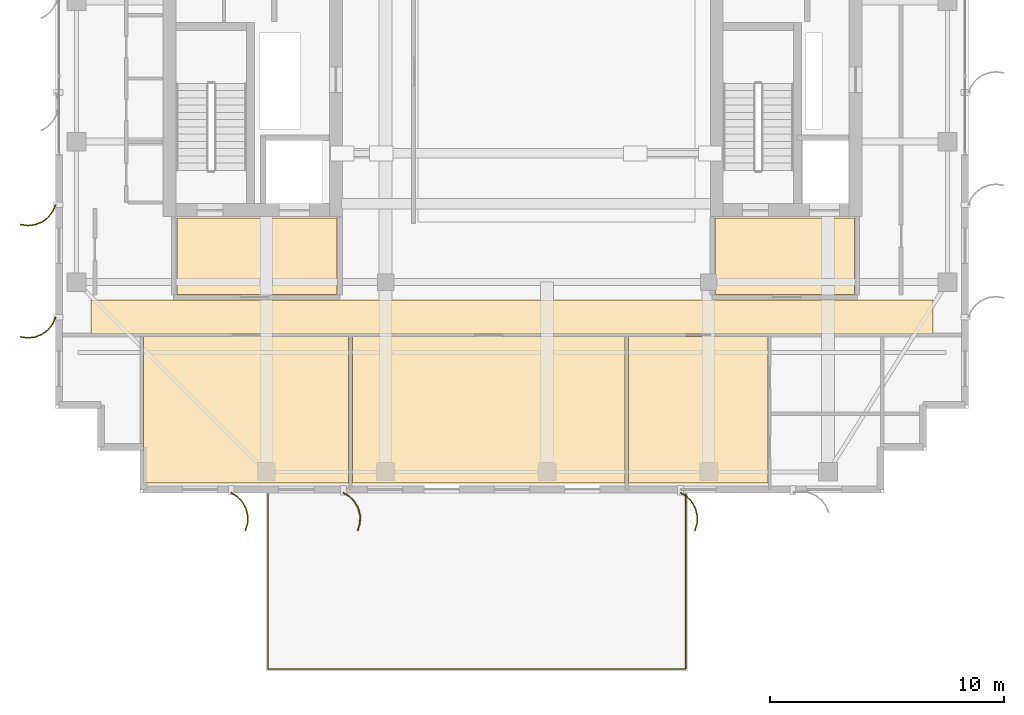
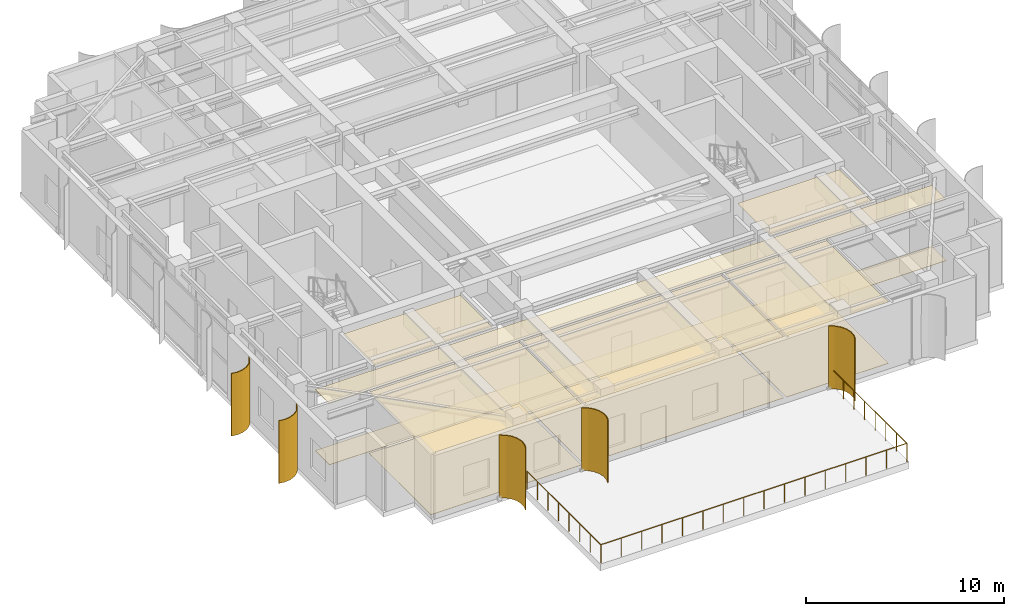
# One storey, part 17 of 19: 10 coverings, 5 shading devices, 1 railing.
"""IFC4 building model written with IfcOpenShell, lengths in metres."""

from ifc_helpers import new_model, si_unit, direction, frame, origin, origin_2d, place, context, subcontext, project, spatial, polyline, circle, outline, extrude, source, transform, mapped, material, layer, layer_set, type_object, element, save


model = new_model("IFC4")

# Units and contexts
model_context = context("Model", 3, precision=1e-05, world=origin(), true_north=direction((0.0, 1.0)))
body_context = subcontext(model_context, "Body", "Model", "MODEL_VIEW")
ifc_project = project(units=[si_unit("LENGTHUNIT", "METRE"), si_unit("AREAUNIT", "SQUARE_METRE"), si_unit("VOLUMEUNIT", "CUBIC_METRE"), si_unit("PLANEANGLEUNIT", "RADIAN"), si_unit("MASSUNIT", "GRAM", prefix="KILO")], contexts=[model_context])

# Site, building, storey
site_placement = place(None, origin())
site = spatial("IfcSite", under=ifc_project, at=site_placement, CompositionType="ELEMENT")
building_placement = place(site_placement, origin())
building = spatial("IfcBuilding", under=site, at=building_placement, Name="Khoralis Quay Care Tower", CompositionType="ELEMENT")
storey_placement = place(building_placement, frame((0.0, 0.0, 285.300048828125)))
storey = spatial("IfcBuildingStorey", under=building, at=storey_placement, Name="L75", CompositionType="ELEMENT", Elevation=285.300048828125)

# Coverings
ifc_material_1 = material(Name="Mineral-fibre acoustic ceiling tile")
ifc_layer_1 = layer(ifc_material_1, 0.01806640625)
ifc_layer_set_1 = layer_set([ifc_layer_1], Name="Mineral-fibre acoustic ceiling tile")
covering_type_1 = type_object("IfcCoveringType", Name="COV-CEIL-AC18", PredefinedType="CEILING", material=ifc_layer_set_1)
covering_1_placement = place(storey_placement, frame((0.0, 0.0, 3.77197265625)))
element("IfcCovering", 1, at=covering_1_placement, inside=storey, type_object=covering_type_1, Name="Suspended Acoustic Ceiling SP-L75-FFLOB-W", PredefinedType="CEILING", context=body_context, shape_type="SweptSolid", body=[
    extrude(outline(polyline([(8.179931640625, 11.47998046875), (15.02001953125, 11.47998046875), (15.02001953125, 14.75), (8.179931640625, 14.75), (8.179931640625, 11.47998046875)])), origin(), (0.0, 0.0, 1.0), 0.01806640625),
])
covering_2_placement = place(storey_placement, frame((0.0, 0.0, 3.77197265625)))
element("IfcCovering", 2, at=covering_2_placement, inside=storey, type_object=covering_type_1, Name="Suspended Acoustic Ceiling SP-L75-FFLOB-E", PredefinedType="CEILING", context=body_context, shape_type="SweptSolid", body=[
    extrude(outline(polyline([(31.179931640625, 11.47998046875), (37.1201171875, 11.47998046875), (37.1201171875, 14.75), (31.179931640625, 14.75), (31.179931640625, 11.47998046875)])), origin(), (0.0, 0.0, 1.0), 0.01806640625),
])
covering_3_placement = place(storey_placement, frame((0.0, 0.0, 3.77197265625)))
element("IfcCovering", 3, at=covering_3_placement, inside=storey, type_object=covering_type_1, Name="Suspended Acoustic Ceiling SP-L75-CORR-MAIN", PredefinedType="CEILING", context=body_context, shape_type="SweptSolid", body=[
    extrude(outline(polyline([(4.52001953125, 9.7900390625), (40.47998046875, 9.7900390625), (40.47998046875, 11.239990234375), (4.52001953125, 11.239990234375), (4.52001953125, 9.7900390625)])), origin(), (0.0, 0.0, 1.0), 0.01806640625),
])
covering_4_placement = place(storey_placement, frame((0.0, 0.0, 3.77197265625)))
element("IfcCovering", 4, at=covering_4_placement, inside=storey, type_object=covering_type_1, Name="Suspended Acoustic Ceiling SP-L75-SB-COM0", PredefinedType="CEILING", context=body_context, shape_type="SweptSolid", body=[
    extrude(outline(polyline([(6.760009765625, 3.419921875), (15.52001953125, 3.419921875), (15.52001953125, 9.669921875), (6.760009765625, 9.669921875), (6.760009765625, 3.419921875)])), origin(), (0.0, 0.0, 1.0), 0.01806640625),
])
covering_5_placement = place(storey_placement, frame((0.0, 0.0, 3.77197265625)))
element("IfcCovering", 5, at=covering_5_placement, inside=storey, type_object=covering_type_1, Name="Suspended Acoustic Ceiling SP-L75-SB-COM1", PredefinedType="CEILING", context=body_context, shape_type="SweptSolid", body=[
    extrude(outline(polyline([(15.679931640625, 3.419921875), (27.320068359375, 3.419921875), (27.320068359375, 9.669921875), (15.679931640625, 9.669921875), (15.679931640625, 3.419921875)])), origin(), (0.0, 0.0, 1.0), 0.01806640625),
])
covering_6_placement = place(storey_placement, frame((0.0, 0.0, 3.77197265625)))
element("IfcCovering", 6, at=covering_6_placement, inside=storey, type_object=covering_type_1, Name="Suspended Acoustic Ceiling SP-L75-SB-STU2", PredefinedType="CEILING", context=body_context, shape_type="SweptSolid", body=[
    extrude(outline(polyline([(27.47998046875, 3.419921875), (33.43505859375, 3.419921875), (33.43505859375, 9.669921875), (27.47998046875, 9.669921875), (27.47998046875, 3.419921875)])), origin(), (0.0, 0.0, 1.0), 0.01806640625),
])
ifc_material_2 = material(Name="Porcelain and non-slip vinyl flooring")
ifc_layer_2 = layer(ifc_material_2, 0.02001953125)
ifc_layer_set_2 = layer_set([ifc_layer_2], Name="Porcelain and non-slip vinyl flooring")
covering_type_2 = type_object("IfcCoveringType", Name="COV-FLOOR-20", PredefinedType="FLOORING", material=ifc_layer_set_2)
covering_7_placement = place(storey_placement, origin())
element("IfcCovering", 7, at=covering_7_placement, inside=storey, type_object=covering_type_2, Name="Resilient Healthcare Flooring SP-L75-CORR-MAIN", PredefinedType="FLOORING", context=body_context, shape_type="SweptSolid", body=[
    extrude(outline(polyline([(4.52001953125, 9.7900390625), (40.47998046875, 9.7900390625), (40.47998046875, 11.239990234375), (4.52001953125, 11.239990234375), (4.52001953125, 9.7900390625)])), origin(), (0.0, 0.0, 1.0), 0.02001953125),
])
covering_8_placement = place(storey_placement, origin())
element("IfcCovering", 8, at=covering_8_placement, inside=storey, type_object=covering_type_2, Name="Resilient Healthcare Flooring SP-L75-SB-COM0", PredefinedType="FLOORING", context=body_context, shape_type="SweptSolid", body=[
    extrude(outline(polyline([(6.760009765625, 3.419921875), (15.52001953125, 3.419921875), (15.52001953125, 9.669921875), (6.760009765625, 9.669921875), (6.760009765625, 3.419921875)])), origin(), (0.0, 0.0, 1.0), 0.02001953125),
])
covering_9_placement = place(storey_placement, origin())
element("IfcCovering", 9, at=covering_9_placement, inside=storey, type_object=covering_type_2, Name="Resilient Healthcare Flooring SP-L75-SB-COM1", PredefinedType="FLOORING", context=body_context, shape_type="SweptSolid", body=[
    extrude(outline(polyline([(15.679931640625, 3.419921875), (27.320068359375, 3.419921875), (27.320068359375, 9.669921875), (15.679931640625, 9.669921875), (15.679931640625, 3.419921875)])), origin(), (0.0, 0.0, 1.0), 0.02001953125),
])
covering_10_placement = place(storey_placement, origin())
element("IfcCovering", 10, at=covering_10_placement, inside=storey, type_object=covering_type_2, Name="Resilient Healthcare Flooring SP-L75-SB-STU2", PredefinedType="FLOORING", context=body_context, shape_type="SweptSolid", body=[
    extrude(outline(polyline([(27.47998046875, 3.419921875), (33.43505859375, 3.419921875), (33.43505859375, 9.669921875), (27.47998046875, 9.669921875), (27.47998046875, 3.419921875)])), origin(), (0.0, 0.0, 1.0), 0.02001953125),
])

# Railing
ifc_material_3 = material(Name="Pale anodised aluminium", Category="aluminium")
railing_type = type_object("IfcRailingType", Name="RL-BALUST-1150", PredefinedType="BALUSTRADE", material=ifc_material_3)
railing_placement = place(storey_placement, frame((12.080078125, 2.949951171875, 0.0)))
element("IfcRailing", 11, at=railing_placement, inside=storey, type_object=railing_type, Name="L75 Cantilevered Sky Pool Perimeter Balustrade", PredefinedType="BALUSTRADE", context=body_context, shape_type="SweptSolid", body=[
    extrude(circle(Radius=0.02392578125, at=origin_2d()), frame((0.0, 0.0, 1.1259765625), z_axis=(0.0, -1.0, 0.0), x_axis=(1.0, 0.0, 0.0)), (0.0, 0.0, 1.0), 7.469970703125),
    extrude(circle(Radius=0.02392578125, at=origin_2d()), frame((0.0, -7.469970703125, 1.1259765625), z_axis=(1.0, 0.0, 0.0), x_axis=(0.0, 1.0, 0.0)), (0.0, 0.0, 1.0), 17.83984375),
    extrude(circle(Radius=0.02392578125, at=origin_2d()), frame((17.83984375, -7.469970703125, 1.1259765625), z_axis=(0.0, 1.0, 0.0), x_axis=(-1.0, 0.0, 0.0)), (0.0, 0.0, 1.0), 7.469970703125),
    extrude(circle(Radius=0.02099609375, at=origin_2d()), origin(), (0.0, 0.0, 1.0), 1.101806640625),
    extrude(circle(Radius=0.02099609375, at=origin_2d()), frame((0.0, -1.067138671875, 0.0)), (0.0, 0.0, 1.0), 1.101806640625),
    extrude(circle(Radius=0.02099609375, at=origin_2d()), frame((0.0, -2.13427734375, 0.0)), (0.0, 0.0, 1.0), 1.101806640625),
    extrude(circle(Radius=0.02099609375, at=origin_2d()), frame((0.0, -3.201416015625, 0.0)), (0.0, 0.0, 1.0), 1.101806640625),
    extrude(circle(Radius=0.02099609375, at=origin_2d()), frame((0.0, -4.2685546875, 0.0)), (0.0, 0.0, 1.0), 1.101806640625),
    extrude(circle(Radius=0.02099609375, at=origin_2d()), frame((0.0, -5.335693359375, 0.0)), (0.0, 0.0, 1.0), 1.101806640625),
    extrude(circle(Radius=0.02099609375, at=origin_2d()), frame((0.0, -6.40283203125, 0.0)), (0.0, 0.0, 1.0), 1.101806640625),
    extrude(circle(Radius=0.02099609375, at=origin_2d()), frame((0.0, -7.469970703125, 0.0)), (0.0, 0.0, 1.0), 1.101806640625),
    extrude(circle(Radius=0.02099609375, at=origin_2d()), frame((1.189208984375, -7.469970703125, 0.0)), (0.0, 0.0, 1.0), 1.101806640625),
    extrude(circle(Radius=0.02099609375, at=origin_2d()), frame((2.378662109375, -7.469970703125, 0.0)), (0.0, 0.0, 1.0), 1.101806640625),
    extrude(circle(Radius=0.02099609375, at=origin_2d()), frame((3.56787109375, -7.469970703125, 0.0)), (0.0, 0.0, 1.0), 1.101806640625),
    extrude(circle(Radius=0.02099609375, at=origin_2d()), frame((4.75732421875, -7.469970703125, 0.0)), (0.0, 0.0, 1.0), 1.101806640625),
    extrude(circle(Radius=0.02099609375, at=origin_2d()), frame((5.946533203125, -7.469970703125, 0.0)), (0.0, 0.0, 1.0), 1.101806640625),
    extrude(circle(Radius=0.02099609375, at=origin_2d()), frame((7.135986328125, -7.469970703125, 0.0)), (0.0, 0.0, 1.0), 1.101806640625),
    extrude(circle(Radius=0.02099609375, at=origin_2d()), frame((8.3251953125, -7.469970703125, 0.0)), (0.0, 0.0, 1.0), 1.101806640625),
    extrude(circle(Radius=0.02099609375, at=origin_2d()), frame((9.5146484375, -7.469970703125, 0.0)), (0.0, 0.0, 1.0), 1.101806640625),
    extrude(circle(Radius=0.02099609375, at=origin_2d()), frame((10.703857421875, -7.469970703125, 0.0)), (0.0, 0.0, 1.0), 1.101806640625),
    extrude(circle(Radius=0.02099609375, at=origin_2d()), frame((11.893310546875, -7.469970703125, 0.0)), (0.0, 0.0, 1.0), 1.101806640625),
    extrude(circle(Radius=0.02099609375, at=origin_2d()), frame((13.08251953125, -7.469970703125, 0.0)), (0.0, 0.0, 1.0), 1.101806640625),
    extrude(circle(Radius=0.02099609375, at=origin_2d()), frame((14.27197265625, -7.469970703125, 0.0)), (0.0, 0.0, 1.0), 1.101806640625),
    extrude(circle(Radius=0.02099609375, at=origin_2d()), frame((15.461181640625, -7.469970703125, 0.0)), (0.0, 0.0, 1.0), 1.101806640625),
    extrude(circle(Radius=0.02099609375, at=origin_2d()), frame((16.650634765625, -7.469970703125, 0.0)), (0.0, 0.0, 1.0), 1.101806640625),
    extrude(circle(Radius=0.02099609375, at=origin_2d()), frame((17.83984375, -7.469970703125, 0.0)), (0.0, 0.0, 1.0), 1.101806640625),
    extrude(circle(Radius=0.02099609375, at=origin_2d()), frame((17.83984375, -6.40283203125, 0.0)), (0.0, 0.0, 1.0), 1.101806640625),
    extrude(circle(Radius=0.02099609375, at=origin_2d()), frame((17.83984375, -5.335693359375, 0.0)), (0.0, 0.0, 1.0), 1.101806640625),
    extrude(circle(Radius=0.02099609375, at=origin_2d()), frame((17.83984375, -4.2685546875, 0.0)), (0.0, 0.0, 1.0), 1.101806640625),
    extrude(circle(Radius=0.02099609375, at=origin_2d()), frame((17.83984375, -3.201416015625, 0.0)), (0.0, 0.0, 1.0), 1.101806640625),
    extrude(circle(Radius=0.02099609375, at=origin_2d()), frame((17.83984375, -2.13427734375, 0.0)), (0.0, 0.0, 1.0), 1.101806640625),
    extrude(circle(Radius=0.02099609375, at=origin_2d()), frame((17.83984375, -1.067138671875, 0.0)), (0.0, 0.0, 1.0), 1.101806640625),
    extrude(circle(Radius=0.02099609375, at=origin_2d()), frame((17.83984375, 0.0, 0.0)), (0.0, 0.0, 1.0), 1.101806640625),
])

# Shading devices
ifc_material_4 = material(Name="Brushed pale anodised aluminium", Category="aluminium")
ifc_layer_3 = layer(ifc_material_4, 0.044921875)
ifc_layer_set_3 = layer_set([ifc_layer_3], Name="Brushed pale anodised aluminium")
shading_device_type = type_object("IfcShadingDeviceType", Name="SHD-FIN-1250", PredefinedType="USERDEFINED", material=ifc_layer_set_3)
shared_shape_1 = source(origin(), body_context, "Body", "SweptSolid", [
    extrude(outline(polyline([(0.0, 0.0), (0.17041015625, 0.2783203125), (0.4072265625, 0.5029296875), (0.694091796875, 0.658447265625), (1.01123046875, 0.734619140625), (1.33740234375, 0.72607421875), (1.650390625, 0.633544921875), (1.632080078125, 0.59228515625), (1.330322265625, 0.681640625), (1.015869140625, 0.68994140625), (0.710205078125, 0.616455078125), (0.43359375, 0.466552734375), (0.20556640625, 0.25), (0.041015625, -0.018310546875), (0.0, 0.0)])), origin(), (0.0, 0.0, 1.0), 3.85986328125),
])
for number, where, z_axis, x_axis, name in (
    (12, (10.5, 3.030029296875, 0.02001953125), (0.0, 0.0, 1.0), (0.0, -1.0, 0.0), "L75 Curved Solar Fin P1E0-01"),
    (13, (15.300048828125, 3.030029296875, 0.02001953125), (0.0, 0.0, 1.0), (0.0, -1.0, 0.0), "L75 Curved Solar Fin P1E0-02"),
    (14, (29.699951171875, 3.030029296875, 0.02001953125), (0.0, 0.0, 1.0), (0.0, -1.0, 0.0), "L75 Curved Solar Fin P1E0-05"),
):
    element("IfcShadingDevice", number, at=place(storey_placement, frame(where, z_axis=z_axis, x_axis=x_axis)), inside=storey, type_object=shading_device_type, Name=name, ObjectType="FIN", PredefinedType="USERDEFINED", context=body_context, shape_type="MappedRepresentation", body=[
        mapped(shared_shape_1, transform((0.0, 0.0, 0.0), scale=1.0)),
    ])
shared_shape_2 = source(origin(), body_context, "Body", "SweptSolid", [
    extrude(outline(polyline([(0.0, 0.0), (0.130126953125, 0.29931640625), (0.333251953125, 0.5546875), (0.595458984375, 0.748779296875), (0.899169921875, 0.868408203125), (1.223388671875, 0.9052734375), (1.546142578125, 0.85693359375), (1.53369140625, 0.813720703125), (1.22265625, 0.8603515625), (0.91015625, 0.82470703125), (0.617431640625, 0.70947265625), (0.364501953125, 0.522216796875), (0.168701171875, 0.276123046875), (0.043212890625, -0.012451171875), (0.0, 0.0)])), origin(), (0.0, 0.0, 1.0), 3.85986328125),
])
for number, where, z_axis, x_axis, name in (
    (15, (3.030029296875, 15.300048828125, 0.02001953125), (0.0, 0.0, 1.0), (-1.0, 0.0, 0.0), "L75 Curved Solar Fin P1E15-05"),
    (16, (3.030029296875, 10.5, 0.02001953125), (0.0, 0.0, 1.0), (-1.0, 0.0, 0.0), "L75 Curved Solar Fin P1E15-06"),
):
    element("IfcShadingDevice", number, at=place(storey_placement, frame(where, z_axis=z_axis, x_axis=x_axis)), inside=storey, type_object=shading_device_type, Name=name, ObjectType="FIN", PredefinedType="USERDEFINED", context=body_context, shape_type="MappedRepresentation", body=[
        mapped(shared_shape_2, transform((0.0, 0.0, 0.0), scale=1.0)),
    ])

save(model, "model.ifc")
